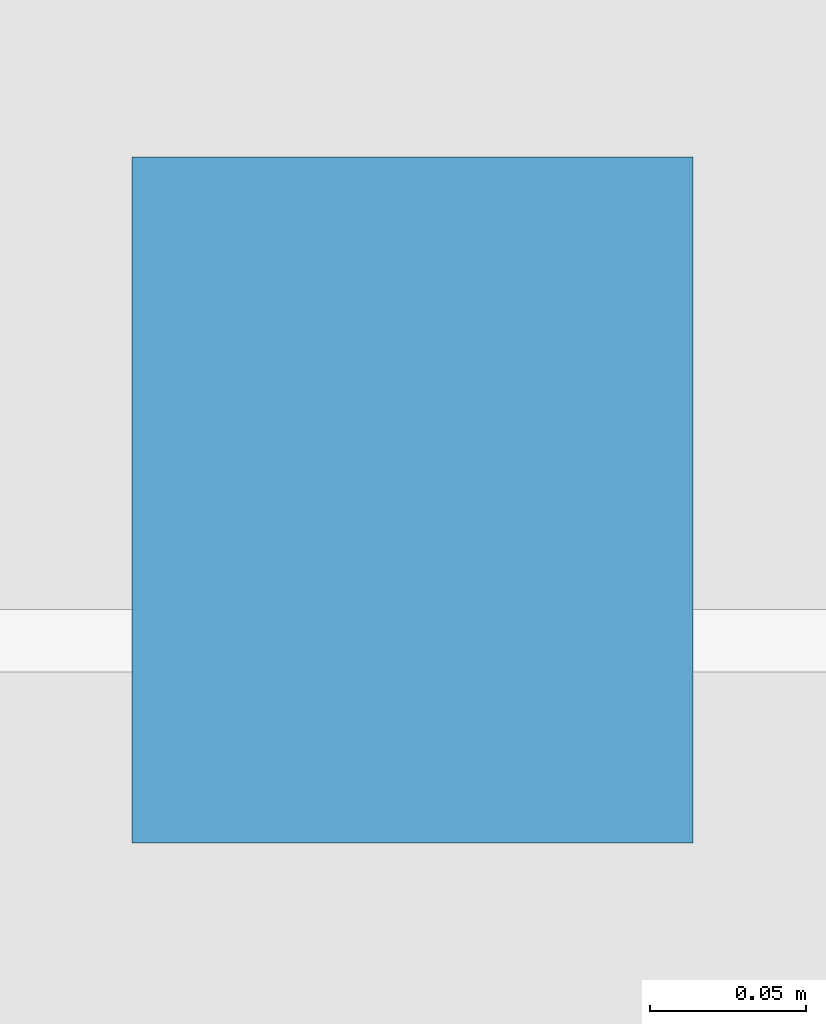
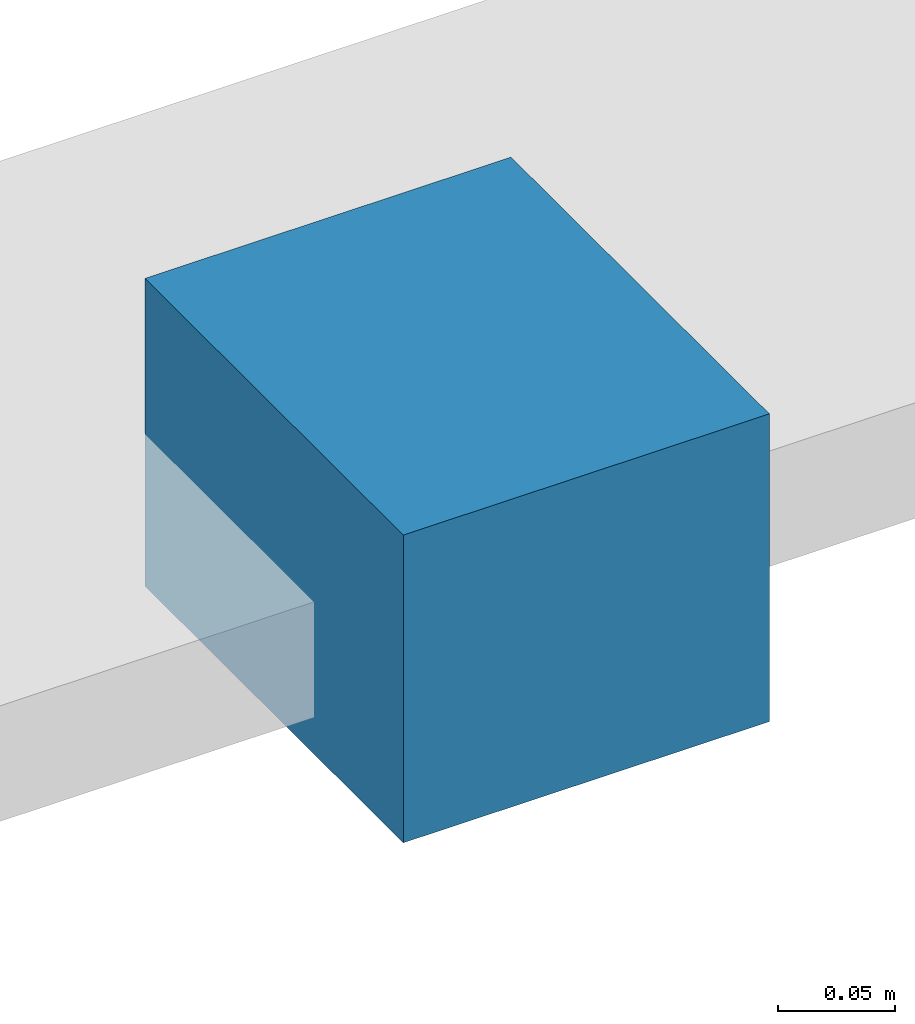
# One storey, part 47 of 56: 1 discrete accessory.
"""IFC4 building model written with IfcOpenShell, lengths in metres."""

from ifc_helpers import new_model, si_unit, direction, frame, origin, origin_2d, place, context, subcontext, project, spatial, rectangle, extrude, material, type_object, element, save


model = new_model("IFC4")

# Units and contexts
model_context = context("Model", 3, precision=1e-05, world=origin(), true_north=direction((0.0, 1.0)))
body_context = subcontext(model_context, "Body", "Model", "MODEL_VIEW")
ifc_project = project(units=[si_unit("LENGTHUNIT", "METRE"), si_unit("AREAUNIT", "SQUARE_METRE"), si_unit("VOLUMEUNIT", "CUBIC_METRE"), si_unit("PLANEANGLEUNIT", "RADIAN"), si_unit("MASSUNIT", "GRAM", prefix="KILO")], contexts=[model_context])

# Site, building, storey
site_placement = place(None, origin())
site = spatial("IfcSite", under=ifc_project, at=site_placement, CompositionType="ELEMENT")
building_placement = place(site_placement, origin())
building = spatial("IfcBuilding", under=site, at=building_placement, Name="Suanplinth Sawtooth Commons", CompositionType="ELEMENT")
storey_placement = place(building_placement, frame((0.0, 0.0, 34.800048828125)))
storey = spatial("IfcBuildingStorey", under=building, at=storey_placement, Name="L10", CompositionType="ELEMENT", Elevation=34.800048828125)

# Discrete accessory
ifc_material = material(Name="Stainless steel Grade 316", Category="steel")
discrete_accessory_type = type_object("IfcDiscreteAccessoryType", Name="ACC-01", PredefinedType="BRACKET", material=ifc_material)
discrete_accessory_placement = place(storey_placement, frame((162.0, 124.10009765625, 2.89990234375), z_axis=(0.0, 0.0, 1.0), x_axis=(1.0, 0.0, 0.0)))
element("IfcDiscreteAccessory", 1, at=discrete_accessory_placement, inside=storey, type_object=discrete_accessory_type, Name="Louvre Fixing Bracket L10-B-1", PredefinedType="BRACKET", context=body_context, shape_type="SweptSolid", body=[
    extrude(rectangle(XDim=0.179931640625, YDim=0.219970703125, at=origin_2d()), origin(), (0.0, 0.0, 1.0), 0.159912109375),
])

save(model, "model.ifc")
